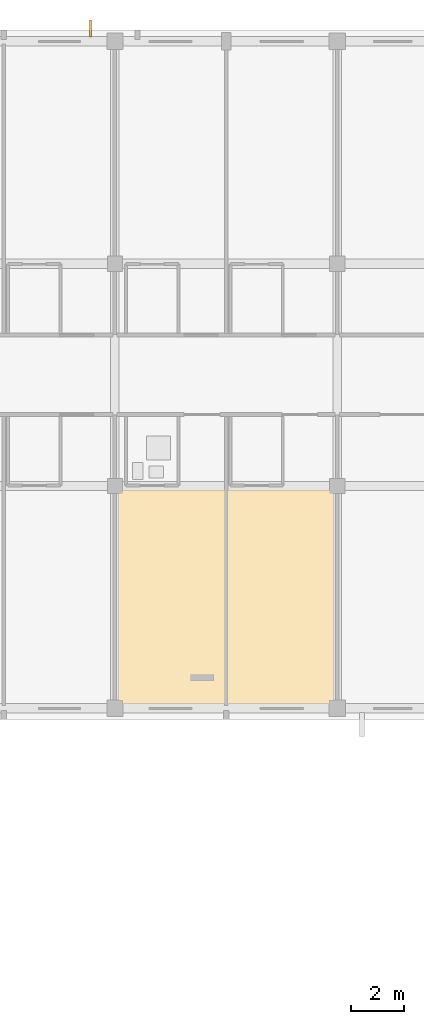
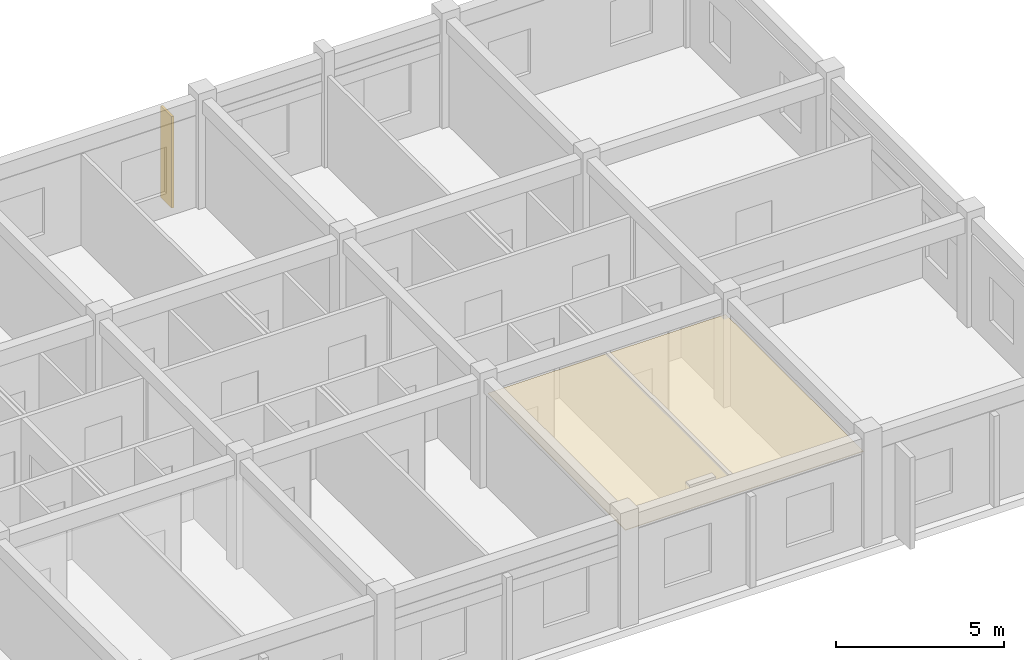
# One storey, part 80 of 81: 1 covering, 1 shading device.
"""IFC4 building model written with IfcOpenShell, lengths in metres."""

from ifc_helpers import new_model, si_unit, direction, frame, origin, origin_2d, place, context, subcontext, project, spatial, polyline, rectangle, outline, extrude, material, layer, layer_set, type_object, element, save


model = new_model("IFC4")

# Units and contexts
model_context = context("Model", 3, precision=1e-05, world=origin(), true_north=direction((0.0, 1.0)))
body_context = subcontext(model_context, "Body", "Model", "MODEL_VIEW")
ifc_project = project(units=[si_unit("LENGTHUNIT", "METRE"), si_unit("AREAUNIT", "SQUARE_METRE"), si_unit("VOLUMEUNIT", "CUBIC_METRE"), si_unit("PLANEANGLEUNIT", "RADIAN"), si_unit("MASSUNIT", "GRAM", prefix="KILO")], contexts=[model_context])

# Site, building, storey
site_placement = place(None, origin())
site = spatial("IfcSite", under=ifc_project, at=site_placement, CompositionType="ELEMENT")
building_placement = place(site_placement, origin())
building = spatial("IfcBuilding", under=site, at=building_placement, Name="Trelvath General Hospital", CompositionType="ELEMENT")
storey_placement = place(building_placement, frame((0.0, 0.0, 24.60009765625)))
storey = spatial("IfcBuildingStorey", under=building, at=storey_placement, Name="L06", CompositionType="ELEMENT", Elevation=24.60009765625)

# Covering
ifc_material_1 = material(Name="Hygienic acoustic ceiling tile")
ifc_layer = layer(ifc_material_1, 0.02490234375)
ifc_layer_set = layer_set([ifc_layer], Name="Hygienic acoustic ceiling tile")
covering_type = type_object("IfcCoveringType", Name="Ceiling ClinicalAcoustic", PredefinedType="CEILING", material=ifc_layer_set)
covering_placement = place(storey_placement, frame((0.0, 0.0, 3.199951171875)))
element("IfcCovering", 1, at=covering_placement, inside=storey, type_object=covering_type, Name="Clinical Acoustic Ceiling L06-80", PredefinedType="CEILING", context=body_context, shape_type="SweptSolid", body=[
    extrude(outline(polyline([(117.699951171875, 92.5), (125.89990234375, 92.5), (125.89990234375, 100.719970703125), (117.699951171875, 100.719970703125), (117.699951171875, 92.5)])), origin(), (0.0, 0.0, 1.0), 0.02490234375),
])

# Shading device
ifc_material_2 = material(Name="Anodised aluminium", Category="aluminium")
shading_device_type = type_object("IfcShadingDeviceType", Name="SolarScreen PerforatedAlu", PredefinedType="JALOUSIE", material=ifc_material_2)
shading_device_placement = place(storey_placement, frame((116.671875, 118.080078125, 0.0), z_axis=(0.0, 0.0, 1.0), x_axis=(0.0, 1.0, 0.0)))
element("IfcShadingDevice", 2, at=shading_device_placement, inside=storey, type_object=shading_device_type, Name="Solar Brise-Soleil Screen L06-100", PredefinedType="JALOUSIE", context=body_context, shape_type="SweptSolid", body=[
    extrude(rectangle(XDim=0.64990234375, YDim=0.080078125, at=origin_2d()), origin(), (0.0, 0.0, 1.0), 3.340087890625),
])

save(model, "model.ifc")
